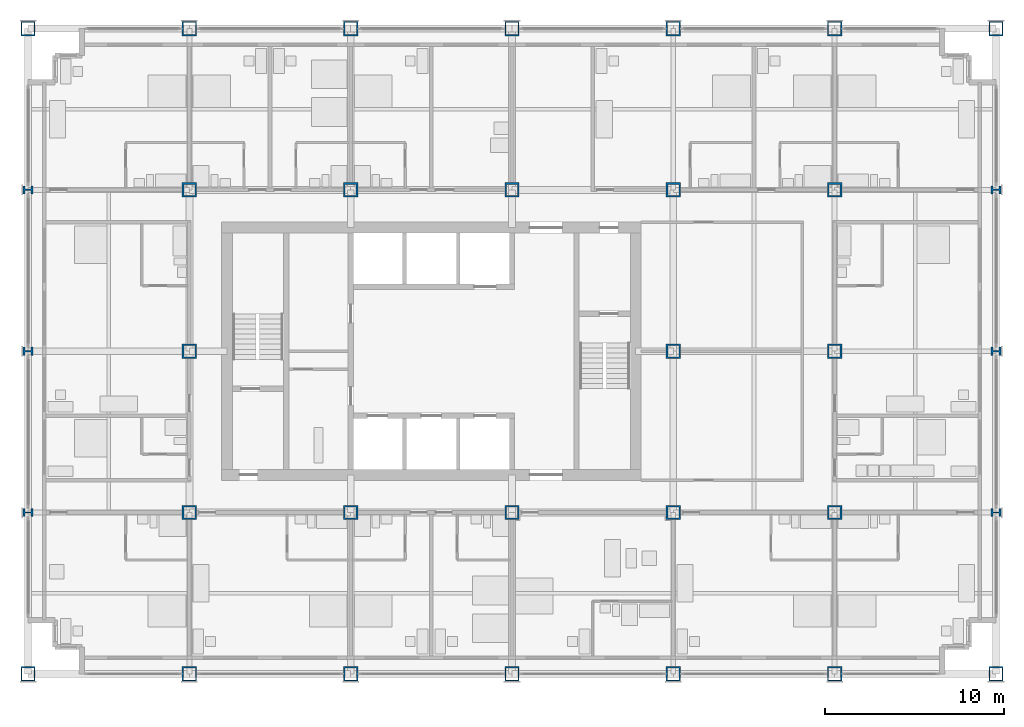
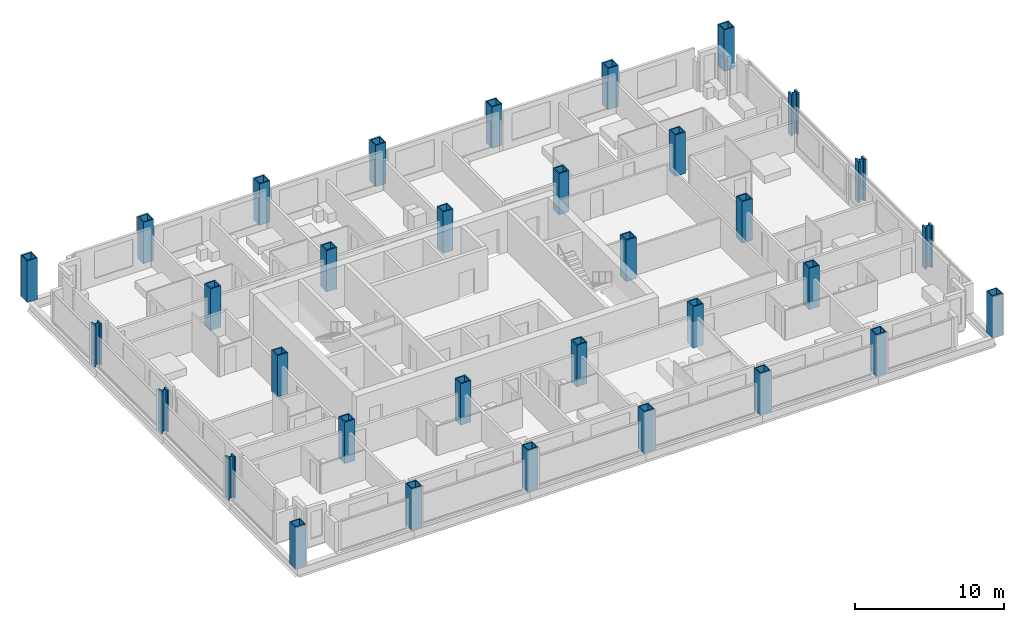
# One storey, part 1 of 18: 33 columns.
"""IFC4 building model written with IfcOpenShell, lengths in metres."""

from ifc_helpers import new_model, si_unit, direction, frame, origin, origin_2d, place, context, subcontext, project, spatial, hollow_rectangle, i_section, extrude, material, material_profile, profile_set, type_object, element, save


model = new_model("IFC4")

# Units and contexts
model_context = context("Model", 3, precision=1e-05, world=origin(), true_north=direction((0.0, 1.0)))
body_context = subcontext(model_context, "Body", "Model", "MODEL_VIEW")
ifc_project = project(units=[si_unit("LENGTHUNIT", "METRE"), si_unit("AREAUNIT", "SQUARE_METRE"), si_unit("VOLUMEUNIT", "CUBIC_METRE"), si_unit("PLANEANGLEUNIT", "RADIAN"), si_unit("MASSUNIT", "GRAM", prefix="KILO")], contexts=[model_context])

# Site, building, storey
site_placement = place(None, origin())
site = spatial("IfcSite", under=ifc_project, at=site_placement, CompositionType="ELEMENT")
building_placement = place(site_placement, origin())
building = spatial("IfcBuilding", under=site, at=building_placement, Name="Loomwork Tower", CompositionType="ELEMENT")
storey_placement = place(building_placement, frame((0.0, 0.0, 65.39990234375)))
storey = spatial("IfcBuildingStorey", under=building, at=storey_placement, Name="L16", CompositionType="ELEMENT", Elevation=65.39990234375)

# Columns
ifc_material_1 = material(Name="Steel ASTM A572 Grade 50 plate", Category="steel")
ifc_material_profile_1 = material_profile(ifc_material_1, hollow_rectangle(XDim=0.800048828125, YDim=0.800048828125, WallThickness=0.070068359375, at=origin_2d()), Name="BOX800x70")
ifc_profile_set_1 = profile_set([ifc_material_profile_1], Name="Steel ASTM A572 Grade 50 plate")
column_type_1 = type_object("IfcColumnType", Name="EXOSKELETON PIER BOX800x70", PredefinedType="COLUMN", material=ifc_profile_set_1)
for number, where, z_axis, x_axis, name in (
    (1, (0.0, 0.0, 0.0), (0.0, 0.0, 1.0), (1.0, 0.0, 0.0), "Exoskeleton Pier D/2 L16"),
    (2, (0.0, 36.0, 0.0), (0.0, 0.0, 1.0), (1.0, 0.0, 0.0), "Exoskeleton Pier H/2 L16"),
    (3, (9.0, 0.0, 0.0), (0.0, 0.0, 1.0), (1.0, 0.0, 0.0), "Exoskeleton Pier D/3 L16"),
    (4, (9.0, 36.0, 0.0), (0.0, 0.0, 1.0), (1.0, 0.0, 0.0), "Exoskeleton Pier H/3 L16"),
    (5, (18.0, 0.0, 0.0), (0.0, 0.0, 1.0), (1.0, 0.0, 0.0), "Exoskeleton Pier D/4 L16"),
    (6, (18.0, 36.0, 0.0), (0.0, 0.0, 1.0), (1.0, 0.0, 0.0), "Exoskeleton Pier H/4 L16"),
    (7, (27.0, 0.0, 0.0), (0.0, 0.0, 1.0), (1.0, 0.0, 0.0), "Exoskeleton Pier D/5 L16"),
    (8, (27.0, 36.0, 0.0), (0.0, 0.0, 1.0), (1.0, 0.0, 0.0), "Exoskeleton Pier H/5 L16"),
    (9, (36.0, 0.0, 0.0), (0.0, 0.0, 1.0), (1.0, 0.0, 0.0), "Exoskeleton Pier D/6 L16"),
    (10, (36.0, 36.0, 0.0), (0.0, 0.0, 1.0), (1.0, 0.0, 0.0), "Exoskeleton Pier H/6 L16"),
    (11, (45.0, 0.0, 0.0), (0.0, 0.0, 1.0), (1.0, 0.0, 0.0), "Exoskeleton Pier D/7 L16"),
    (12, (45.0, 36.0, 0.0), (0.0, 0.0, 1.0), (1.0, 0.0, 0.0), "Exoskeleton Pier H/7 L16"),
    (13, (54.0, 0.0, 0.0), (0.0, 0.0, 1.0), (1.0, 0.0, 0.0), "Exoskeleton Pier D/8 L16"),
    (14, (54.0, 36.0, 0.0), (0.0, 0.0, 1.0), (1.0, 0.0, 0.0), "Exoskeleton Pier H/8 L16"),
):
    element("IfcColumn", number, at=place(storey_placement, frame(where, z_axis=z_axis, x_axis=x_axis)), inside=storey, type_object=column_type_1, Name=name, PredefinedType="COLUMN", context=body_context, shape_type="SweptSolid", body=[
        extrude(hollow_rectangle(XDim=0.800048828125, YDim=0.800048828125, WallThickness=0.070068359375, at=origin_2d()), origin(), (0.0, 0.0, 1.0), 3.400146484375),
    ])
ifc_material_2 = material(Name="Steel ASTM A992", Category="steel")
ifc_material_profile_2 = material_profile(ifc_material_2, i_section(OverallWidth=0.45458984375, OverallDepth=0.56884765625, WebThickness=0.077880859375, FlangeThickness=0.124755859375, at=origin_2d()), Name="W14x730")
ifc_profile_set_2 = profile_set([ifc_material_profile_2], Name="Steel ASTM A992")
column_type_2 = type_object("IfcColumnType", Name="EXOSKELETON PIER W14x730", PredefinedType="COLUMN", material=ifc_profile_set_2)
for number, where, z_axis, x_axis, name in (
    (15, (0.0, 9.0, 0.0), (0.0, 0.0, 1.0), (0.0, 1.0, 0.0), "Exoskeleton Pier E/2 L16"),
    (16, (0.0, 18.0, 0.0), (0.0, 0.0, 1.0), (0.0, 1.0, 0.0), "Exoskeleton Pier F/2 L16"),
    (17, (0.0, 27.0, 0.0), (0.0, 0.0, 1.0), (0.0, 1.0, 0.0), "Exoskeleton Pier G/2 L16"),
    (18, (54.0, 9.0, 0.0), (0.0, 0.0, 1.0), (0.0, 1.0, 0.0), "Exoskeleton Pier E/8 L16"),
    (19, (54.0, 18.0, 0.0), (0.0, 0.0, 1.0), (0.0, 1.0, 0.0), "Exoskeleton Pier F/8 L16"),
    (20, (54.0, 27.0, 0.0), (0.0, 0.0, 1.0), (0.0, 1.0, 0.0), "Exoskeleton Pier G/8 L16"),
):
    element("IfcColumn", number, at=place(storey_placement, frame(where, z_axis=z_axis, x_axis=x_axis)), inside=storey, type_object=column_type_2, Name=name, PredefinedType="COLUMN", context=body_context, shape_type="SweptSolid", body=[
        extrude(i_section(OverallWidth=0.45458984375, OverallDepth=0.56884765625, WebThickness=0.077880859375, FlangeThickness=0.124755859375, at=origin_2d()), origin(), (0.0, 0.0, 1.0), 3.400146484375),
    ])
ifc_material_3 = material(Name="Steel ASTM A572 Grade 50 plate", Category="steel")
ifc_material_profile_3 = material_profile(ifc_material_3, hollow_rectangle(XDim=0.800048828125, YDim=0.800048828125, WallThickness=0.090087890625, at=origin_2d()), Name="BOX800x90")
ifc_profile_set_3 = profile_set([ifc_material_profile_3], Name="Steel ASTM A572 Grade 50 plate")
column_type_3 = type_object("IfcColumnType", Name="TOWER COLUMN BOX800x90", PredefinedType="COLUMN", material=ifc_profile_set_3)
for number, where, z_axis, x_axis, name in (
    (21, (9.0, 9.0, 0.0), (0.0, 0.0, 1.0), (1.0, 0.0, 0.0), "Tower Column E/3 L16"),
    (22, (9.0, 18.0, 0.0), (0.0, 0.0, 1.0), (1.0, 0.0, 0.0), "Tower Column F/3 L16"),
    (23, (9.0, 27.0, 0.0), (0.0, 0.0, 1.0), (1.0, 0.0, 0.0), "Tower Column G/3 L16"),
    (24, (18.0, 9.0, 0.0), (0.0, 0.0, 1.0), (1.0, 0.0, 0.0), "Tower Column E/4 L16"),
    (25, (18.0, 27.0, 0.0), (0.0, 0.0, 1.0), (1.0, 0.0, 0.0), "Tower Column G/4 L16"),
    (26, (27.0, 9.0, 0.0), (0.0, 0.0, 1.0), (1.0, 0.0, 0.0), "Tower Column E/5 L16"),
    (27, (27.0, 27.0, 0.0), (0.0, 0.0, 1.0), (1.0, 0.0, 0.0), "Tower Column G/5 L16"),
    (28, (36.0, 9.0, 0.0), (0.0, 0.0, 1.0), (0.0, 1.0, 0.0), "Tower Column E/6 L16"),
    (29, (36.0, 18.0, 0.0), (0.0, 0.0, 1.0), (0.0, 1.0, 0.0), "Tower Column F/6 L16"),
    (30, (36.0, 27.0, 0.0), (0.0, 0.0, 1.0), (1.0, 0.0, 0.0), "Tower Column G/6 L16"),
    (31, (45.0, 9.0, 0.0), (0.0, 0.0, 1.0), (0.0, 1.0, 0.0), "Tower Column E/7 L16"),
    (32, (45.0, 18.0, 0.0), (0.0, 0.0, 1.0), (0.0, 1.0, 0.0), "Tower Column F/7 L16"),
    (33, (45.0, 27.0, 0.0), (0.0, 0.0, 1.0), (0.0, 1.0, 0.0), "Tower Column G/7 L16"),
):
    element("IfcColumn", number, at=place(storey_placement, frame(where, z_axis=z_axis, x_axis=x_axis)), inside=storey, type_object=column_type_3, Name=name, PredefinedType="COLUMN", context=body_context, shape_type="SweptSolid", body=[
        extrude(hollow_rectangle(XDim=0.800048828125, YDim=0.800048828125, WallThickness=0.090087890625, at=origin_2d()), origin(), (0.0, 0.0, 1.0), 3.400146484375),
    ])

save(model, "model.ifc")
